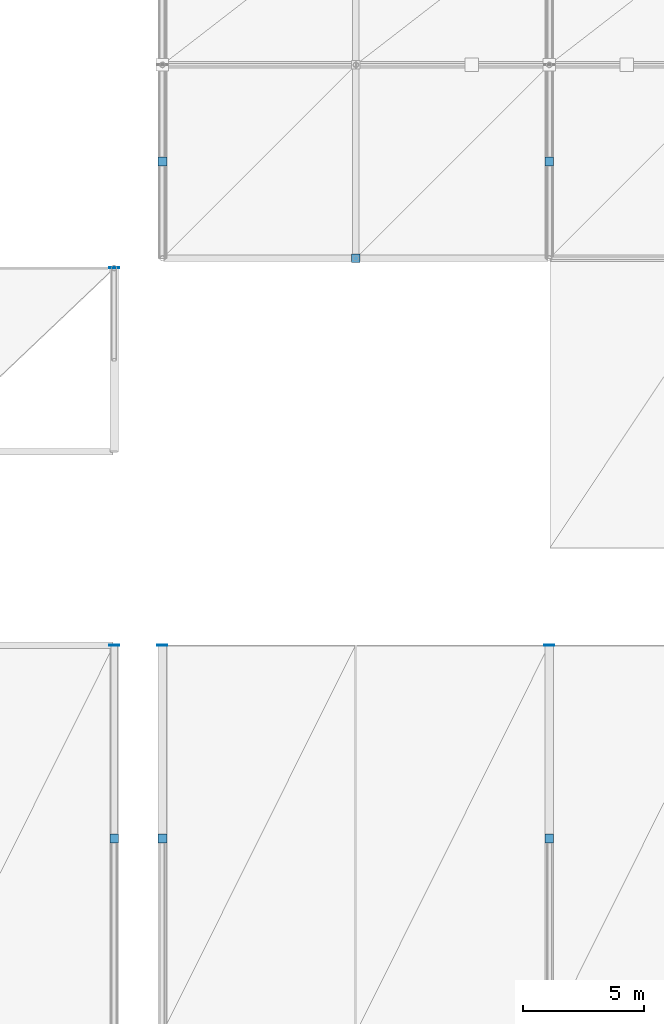
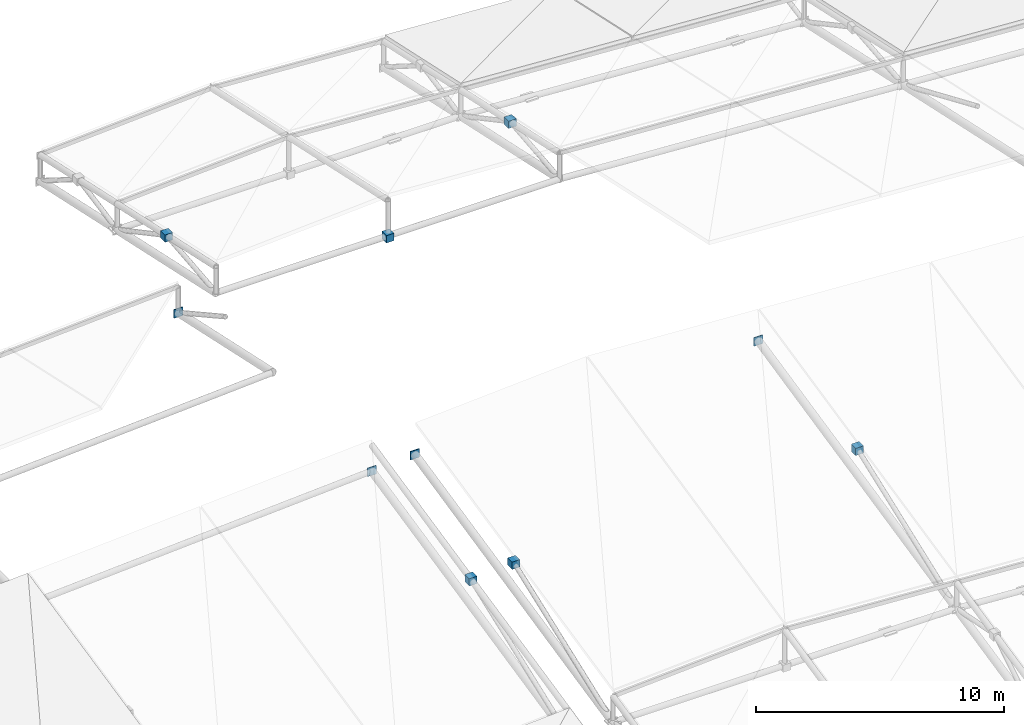
# One storey, part 52 of 67: 10 discrete accessories.
"""IFC4 building model written with IfcOpenShell, lengths in metres."""

from ifc_helpers import new_model, si_unit, direction, frame, origin, origin_2d, place, context, subcontext, project, spatial, rectangle, extrude, material, type_object, element, save


model = new_model("IFC4")

# Units and contexts
model_context = context("Model", 3, precision=1e-05, world=origin(), true_north=direction((0.0, 1.0)))
body_context = subcontext(model_context, "Body", "Model", "MODEL_VIEW")
ifc_project = project(units=[si_unit("LENGTHUNIT", "METRE"), si_unit("AREAUNIT", "SQUARE_METRE"), si_unit("VOLUMEUNIT", "CUBIC_METRE"), si_unit("PLANEANGLEUNIT", "RADIAN"), si_unit("MASSUNIT", "GRAM", prefix="KILO")], contexts=[model_context])

# Site, building, storey
site_placement = place(None, origin())
site = spatial("IfcSite", under=ifc_project, at=site_placement, CompositionType="ELEMENT")
building_placement = place(site_placement, origin())
building = spatial("IfcBuilding", under=site, at=building_placement, Name="Drelvath Fold Interchange", CompositionType="ELEMENT")
storey_placement = place(building_placement, frame((0.0, 0.0, 15.60009765625)))
storey = spatial("IfcBuildingStorey", under=building, at=storey_placement, Name="L03", CompositionType="ELEMENT", Elevation=15.60009765625)

# Discrete accessories
ifc_material = material(Name="Steel ASTM A572 Grade 50", Category="steel")
discrete_accessory_type = type_object("IfcDiscreteAccessoryType", Name="AC-CAP380", PredefinedType="BRACKET", material=ifc_material)
discrete_accessory_1_placement = place(storey_placement, frame((100.0, 43.0048828125, 4.2978515625), z_axis=(0.0, 0.0, 1.0), x_axis=(1.0, 0.0, 0.0)))
element("IfcDiscreteAccessory", 1, at=discrete_accessory_1_placement, inside=storey, type_object=discrete_accessory_type, Name="Welded hollow member end cap 175", PredefinedType="BRACKET", context=body_context, shape_type="SweptSolid", body=[
    extrude(rectangle(XDim=0.416015625, YDim=0.0400390625, at=origin_2d()), origin(), (0.0, 0.0, 1.0), 0.416015625),
])
discrete_accessory_2_placement = place(storey_placement, frame((100.0, 35.0048828125, 3.853515625), z_axis=(0.0, 0.0, 1.0), x_axis=(1.0, 0.0, 0.0)))
element("IfcDiscreteAccessory", 2, at=discrete_accessory_2_placement, inside=storey, type_object=discrete_accessory_type, Name="Welded hollow member end cap 176", PredefinedType="BRACKET", context=body_context, shape_type="SweptSolid", body=[
    extrude(rectangle(XDim=0.35888671875, YDim=0.35888671875, at=origin_2d()), origin(), (0.0, 0.0, 1.0), 0.35888671875),
])
for number, where, z_axis, x_axis, name in (
    (3, (100.0, 58.60498046875, 2.638916015625), (0.0, 0.0, 1.0), (1.0, 0.0, 0.0), "Welded hollow member end cap 179"),
    (4, (102.0, 43.0048828125, 4.41796875), (0.0, 0.0, 1.0), (1.0, 0.0, 0.0), "Welded hollow member end cap 186"),
):
    element("IfcDiscreteAccessory", number, at=place(storey_placement, frame(where, z_axis=z_axis, x_axis=x_axis)), inside=storey, type_object=discrete_accessory_type, Name=name, PredefinedType="BRACKET", context=body_context, shape_type="SweptSolid", body=[
        extrude(rectangle(XDim=0.416015625, YDim=0.0400390625, at=origin_2d()), origin(), (0.0, 0.0, 1.0), 0.416015625),
    ])
for number, where, z_axis, x_axis, name in (
    (5, (102.0, 35.0048828125, 3.973388671875), (0.0, 0.0, 1.0), (1.0, 0.0, 0.0), "Welded hollow member end cap 187"),
    (6, (102.0, 63.0048828125, 3.099365234375), (0.0, 0.0, 1.0), (1.0, 0.0, 0.0), "Welded hollow member end cap 194"),
):
    element("IfcDiscreteAccessory", number, at=place(storey_placement, frame(where, z_axis=z_axis, x_axis=x_axis)), inside=storey, type_object=discrete_accessory_type, Name=name, PredefinedType="BRACKET", context=body_context, shape_type="SweptSolid", body=[
        extrude(rectangle(XDim=0.35888671875, YDim=0.35888671875, at=origin_2d()), origin(), (0.0, 0.0, 1.0), 0.35888671875),
    ])
discrete_accessory_3_placement = place(storey_placement, frame((118.0, 43.0048828125, 4.41796875), z_axis=(0.0, 0.0, 1.0), x_axis=(1.0, 0.0, 0.0)))
element("IfcDiscreteAccessory", 7, at=discrete_accessory_3_placement, inside=storey, type_object=discrete_accessory_type, Name="Welded hollow member end cap 202", PredefinedType="BRACKET", context=body_context, shape_type="SweptSolid", body=[
    extrude(rectangle(XDim=0.416015625, YDim=0.0400390625, at=origin_2d()), origin(), (0.0, 0.0, 1.0), 0.416015625),
])
for number, where, z_axis, x_axis, name in (
    (8, (118.0, 35.0048828125, 3.973388671875), (0.0, 0.0, 1.0), (1.0, 0.0, 0.0), "Welded hollow member end cap 203"),
    (9, (118.0, 63.0048828125, 3.099365234375), (0.0, 0.0, 1.0), (1.0, 0.0, 0.0), "Welded hollow member end cap 210"),
    (10, (110.0, 59.0, 2.696533203125), (0.0, 0.0, 1.0), (1.0, 0.0, 0.0), "Welded hollow member end cap 287"),
):
    element("IfcDiscreteAccessory", number, at=place(storey_placement, frame(where, z_axis=z_axis, x_axis=x_axis)), inside=storey, type_object=discrete_accessory_type, Name=name, PredefinedType="BRACKET", context=body_context, shape_type="SweptSolid", body=[
        extrude(rectangle(XDim=0.35888671875, YDim=0.35888671875, at=origin_2d()), origin(), (0.0, 0.0, 1.0), 0.35888671875),
    ])

save(model, "model.ifc")
